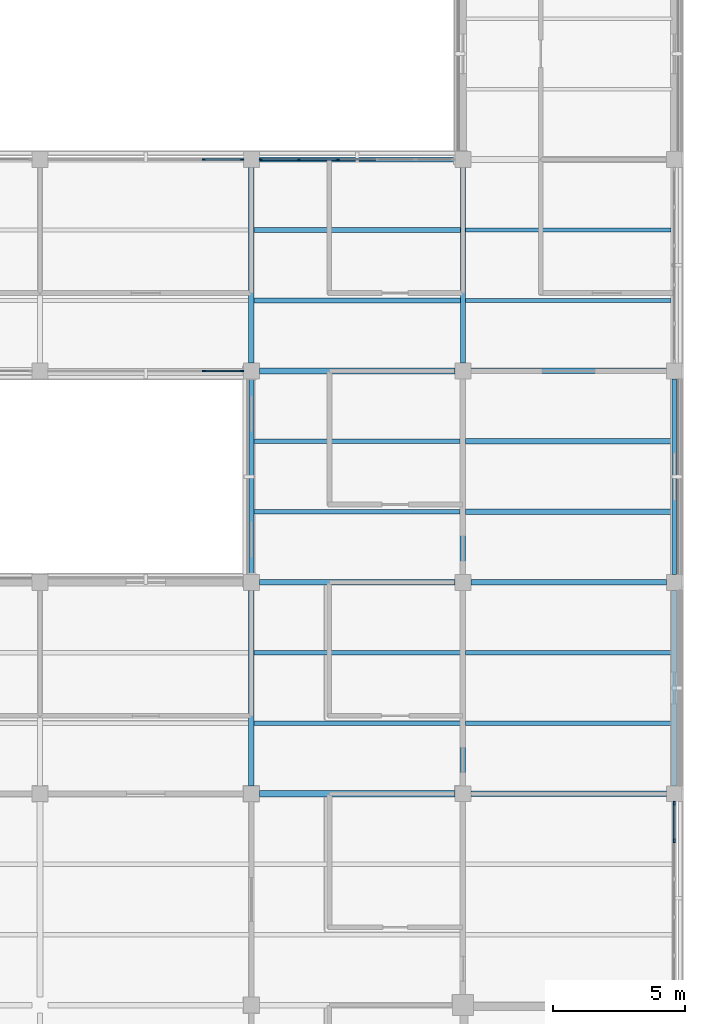
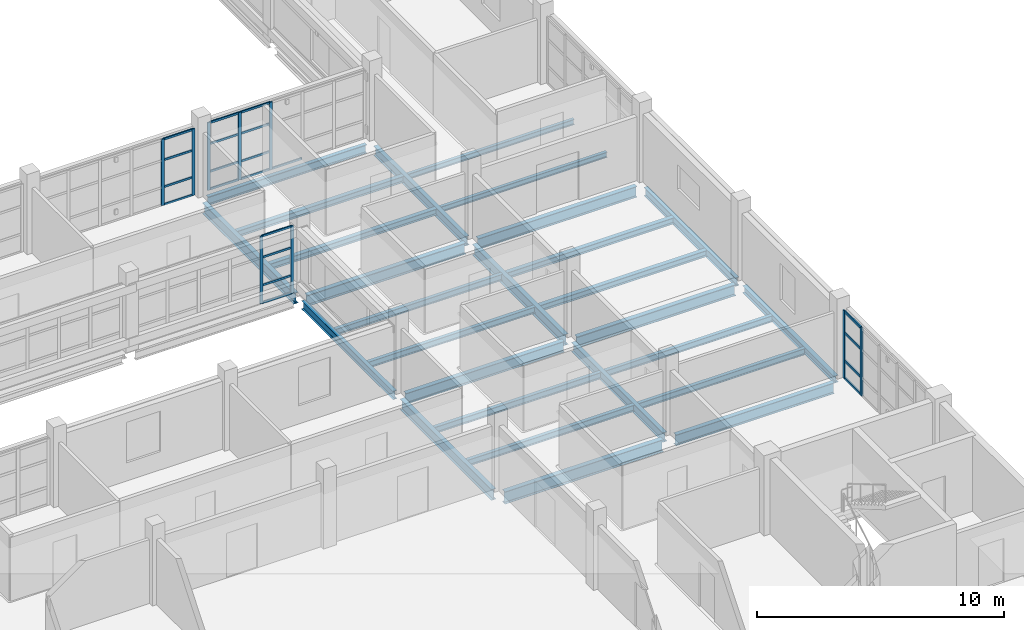
# One storey, part 55 of 126: 30 members, 27 beams, 4 elements without a shape of their own.
"""IFC4 building model written with IfcOpenShell, lengths in metres."""

from ifc_helpers import new_model, si_unit, derived_unit, direction, frame, origin, origin_2d, place, context, subcontext, project, spatial, rectangle, i_section, extrude, material, layer, layer_set, material_profile, profile_set, type_object, element, aggregate, save


model = new_model("IFC4")

# Units and contexts
model_context = context("Model", 3, precision=1e-05, world=origin(), true_north=direction((0.0, 1.0)))
body_context = subcontext(model_context, "Body", "Model", "MODEL_VIEW")
ifc_project = project(units=[si_unit("LENGTHUNIT", "METRE"), si_unit("AREAUNIT", "SQUARE_METRE"), si_unit("VOLUMEUNIT", "CUBIC_METRE"), si_unit("PLANEANGLEUNIT", "RADIAN"), si_unit("MASSUNIT", "GRAM", prefix="KILO"), derived_unit("THERMALTRANSMITTANCEUNIT", [(si_unit("MASSUNIT", "GRAM", prefix="KILO"), 1), (si_unit("TIMEUNIT", "SECOND"), -3), (si_unit("THERMODYNAMICTEMPERATUREUNIT", "KELVIN"), -1)])], contexts=[model_context])

# Site, building, storey
site_placement = place(None, origin())
site = spatial("IfcSite", under=ifc_project, at=site_placement, CompositionType="ELEMENT")
building_placement = place(site_placement, origin())
building = spatial("IfcBuilding", under=site, at=building_placement, Name="Veyamyaing Civic Hall", CompositionType="ELEMENT")
storey_placement = place(building_placement, frame((0.0, 0.0, 9.89990234375)))
storey = spatial("IfcBuildingStorey", under=building, at=storey_placement, Name="L02", CompositionType="ELEMENT", Elevation=9.89990234375)

# Beams
ifc_material_1 = material(Name="Steel ASTM A992", Category="steel")
ifc_material_profile_1 = material_profile(ifc_material_1, i_section(OverallWidth=0.22802734375, OverallDepth=0.60791015625, WebThickness=0.01123046875, FlangeThickness=0.017333984375, FilletRadius=0.012939453125, at=origin_2d()), Name="W610X113")
ifc_profile_set_1 = profile_set([ifc_material_profile_1], Name="Steel ASTM A992")
beam_type_1 = type_object("IfcBeamType", Name="B-06", PredefinedType="BEAM", material=ifc_profile_set_1)
beam_1_placement = place(storey_placement, frame((160.300048828125, 32.0, -0.5888671875), z_axis=(1.0, 0.0, 0.0), x_axis=(0.0, 1.0, 0.0)))
element("IfcBeam", 1, at=beam_1_placement, inside=storey, type_object=beam_type_1, Name="Girder B-06 L02 Grid E 21-22", PredefinedType="BEAM", context=body_context, shape_type="SweptSolid", body=[
    extrude(i_section(OverallWidth=0.22802734375, OverallDepth=0.60791015625, WebThickness=0.01123046875, FlangeThickness=0.017333984375, FilletRadius=0.012939453125, at=origin_2d()), origin(), (0.0, 0.0, 1.0), 7.39990234375),
])
ifc_material_profile_2 = material_profile(ifc_material_1, i_section(OverallWidth=0.208984375, OverallDepth=0.532958984375, WebThickness=0.01025390625, FlangeThickness=0.015625, FilletRadius=0.011962890625, at=origin_2d()), Name="W530X92")
ifc_profile_set_2 = profile_set([ifc_material_profile_2], Name="Steel ASTM A992")
beam_type_2 = type_object("IfcBeamType", Name="B-07", PredefinedType="BEAM", material=ifc_profile_set_2)
for number, where, z_axis, x_axis, name in (
    (2, (168.300048828125, 32.0, -0.551513671875), (1.0, 0.0, 0.0), (0.0, 1.0, 0.0), "Girder B-07 L02 Grid E 22-23"),
    (3, (160.300048828125, 40.0, -0.551513671875), (1.0, 0.0, 0.0), (0.0, 1.0, 0.0), "Girder B-07 L02 Grid F 21-22"),
    (4, (160.0, 32.300048828125, -0.551513671875), (0.0, 1.0, 0.0), (-1.0, 0.0, 0.0), "Girder B-07 L02 Grid 21 E-F"),
):
    element("IfcBeam", number, at=place(storey_placement, frame(where, z_axis=z_axis, x_axis=x_axis)), inside=storey, type_object=beam_type_2, Name=name, PredefinedType="BEAM", context=body_context, shape_type="SweptSolid", body=[
        extrude(i_section(OverallWidth=0.208984375, OverallDepth=0.532958984375, WebThickness=0.01025390625, FlangeThickness=0.015625, FilletRadius=0.011962890625, at=origin_2d()), origin(), (0.0, 0.0, 1.0), 7.39990234375),
    ])
ifc_material_profile_3 = material_profile(ifc_material_1, i_section(OverallWidth=0.19189453125, OverallDepth=0.462890625, WebThickness=0.010498046875, FlangeThickness=0.017578125, FilletRadius=0.010009765625, at=origin_2d()), Name="W460X89")
ifc_profile_set_3 = profile_set([ifc_material_profile_3], Name="Steel ASTM A992")
beam_type_3 = type_object("IfcBeamType", Name="B-08", PredefinedType="BEAM", material=ifc_profile_set_3)
beam_2_placement = place(storey_placement, frame((168.0, 32.300048828125, -0.516357421875), z_axis=(0.0, 1.0, 0.0), x_axis=(-1.0, 0.0, 0.0)))
element("IfcBeam", 5, at=beam_2_placement, inside=storey, type_object=beam_type_3, Name="Girder B-08 L02 Grid 22 E-F", PredefinedType="BEAM", context=body_context, shape_type="SweptSolid", body=[
    extrude(i_section(OverallWidth=0.19189453125, OverallDepth=0.462890625, WebThickness=0.010498046875, FlangeThickness=0.017578125, FilletRadius=0.010009765625, at=origin_2d()), origin(), (0.0, 0.0, 1.0), 7.39990234375),
])
ifc_material_profile_4 = material_profile(ifc_material_1, i_section(OverallWidth=0.179931640625, OverallDepth=0.4130859375, WebThickness=0.009765625, FlangeThickness=0.01611328125, FilletRadius=0.010009765625, at=origin_2d()), Name="W410X74")
ifc_profile_set_4 = profile_set([ifc_material_profile_4], Name="Steel ASTM A992")
beam_type_4 = type_object("IfcBeamType", Name="B-10", PredefinedType="SPANDREL", material=ifc_profile_set_4)
beam_3_placement = place(storey_placement, frame((160.0, 40.300048828125, -0.491455078125), z_axis=(0.0, 1.0, 0.0), x_axis=(-1.0, 0.0, 0.0)))
element("IfcBeam", 6, at=beam_3_placement, inside=storey, type_object=beam_type_4, Name="Girder B-10 L02 Grid 21 F-G", PredefinedType="SPANDREL", context=body_context, shape_type="SweptSolid", body=[
    extrude(i_section(OverallWidth=0.179931640625, OverallDepth=0.4130859375, WebThickness=0.009765625, FlangeThickness=0.01611328125, FilletRadius=0.010009765625, at=origin_2d()), origin(), (0.0, 0.0, 1.0), 7.39990234375),
])
ifc_material_profile_5 = material_profile(ifc_material_1, i_section(OverallWidth=0.2041015625, OverallDepth=0.35009765625, WebThickness=0.0078125, FlangeThickness=0.01513671875, FilletRadius=0.010009765625, at=origin_2d()), Name="W360X72")
ifc_profile_set_5 = profile_set([ifc_material_profile_5], Name="Steel ASTM A992")
beam_type_5 = type_object("IfcBeamType", Name="B-11", PredefinedType="SPANDREL", material=ifc_profile_set_5)
beam_4_placement = place(storey_placement, frame((176.0, 32.300048828125, -0.4599609375), z_axis=(0.0, 1.0, 0.0), x_axis=(-1.0, 0.0, 0.0)))
element("IfcBeam", 7, at=beam_4_placement, inside=storey, type_object=beam_type_5, Name="Girder B-11 L02 Grid 23 E-F", PredefinedType="SPANDREL", context=body_context, shape_type="SweptSolid", body=[
    extrude(i_section(OverallWidth=0.2041015625, OverallDepth=0.35009765625, WebThickness=0.0078125, FlangeThickness=0.01513671875, FilletRadius=0.010009765625, at=origin_2d()), origin(), (0.0, 0.0, 1.0), 7.39990234375),
])
ifc_material_profile_6 = material_profile(ifc_material_1, i_section(OverallWidth=0.214111328125, OverallDepth=0.549072265625, WebThickness=0.0146484375, FlangeThickness=0.023681640625, FilletRadius=0.011962890625, at=origin_2d()), Name="W530X138")
ifc_profile_set_6 = profile_set([ifc_material_profile_6], Name="Steel ASTM A992")
beam_type_6 = type_object("IfcBeamType", Name="B-16", PredefinedType="BEAM", material=ifc_profile_set_6)
for number, where, z_axis, x_axis, name in (
    (8, (168.300048828125, 40.0, -0.559326171875), (1.0, 0.0, 0.0), (0.0, 1.0, 0.0), "Girder B-16 L02 Grid F 22-23"),
    (9, (160.300048828125, 48.0, -0.559326171875), (1.0, 0.0, 0.0), (0.0, 1.0, 0.0), "Girder B-16 L02 Grid G 21-22"),
):
    element("IfcBeam", number, at=place(storey_placement, frame(where, z_axis=z_axis, x_axis=x_axis)), inside=storey, type_object=beam_type_6, Name=name, PredefinedType="BEAM", context=body_context, shape_type="SweptSolid", body=[
        extrude(i_section(OverallWidth=0.214111328125, OverallDepth=0.549072265625, WebThickness=0.0146484375, FlangeThickness=0.023681640625, FilletRadius=0.011962890625, at=origin_2d()), origin(), (0.0, 0.0, 1.0), 7.39990234375),
    ])
ifc_material_profile_7 = material_profile(ifc_material_1, i_section(OverallWidth=0.2109375, OverallDepth=0.5390625, WebThickness=0.01171875, FlangeThickness=0.018798828125, FilletRadius=0.011962890625, at=origin_2d()), Name="W530X109")
ifc_profile_set_7 = profile_set([ifc_material_profile_7], Name="Steel ASTM A992")
beam_type_7 = type_object("IfcBeamType", Name="B-17", PredefinedType="BEAM", material=ifc_profile_set_7)
for number, where, z_axis, x_axis, name in (
    (10, (168.300048828125, 48.0, -0.554443359375), (1.0, 0.0, 0.0), (0.0, 1.0, 0.0), "Girder B-17 L02 Grid G 22-23"),
    (11, (160.0, 48.300048828125, -0.554443359375), (0.0, 1.0, 0.0), (-1.0, 0.0, 0.0), "Girder B-17 L02 Grid 21 G-H"),
    (12, (168.0, 40.300048828125, -0.554443359375), (0.0, 1.0, 0.0), (-1.0, 0.0, 0.0), "Girder B-17 L02 Grid 22 F-G"),
):
    element("IfcBeam", number, at=place(storey_placement, frame(where, z_axis=z_axis, x_axis=x_axis)), inside=storey, type_object=beam_type_7, Name=name, PredefinedType="BEAM", context=body_context, shape_type="SweptSolid", body=[
        extrude(i_section(OverallWidth=0.2109375, OverallDepth=0.5390625, WebThickness=0.01171875, FlangeThickness=0.018798828125, FilletRadius=0.011962890625, at=origin_2d()), origin(), (0.0, 0.0, 1.0), 7.39990234375),
    ])
ifc_material_profile_8 = material_profile(ifc_material_1, i_section(OverallWidth=0.194091796875, OverallDepth=0.468994140625, WebThickness=0.0126953125, FlangeThickness=0.0205078125, FilletRadius=0.010009765625, at=origin_2d()), Name="W460X106")
ifc_profile_set_8 = profile_set([ifc_material_profile_8], Name="Steel ASTM A992")
beam_type_8 = type_object("IfcBeamType", Name="B-18", PredefinedType="BEAM", material=ifc_profile_set_8)
beam_5_placement = place(storey_placement, frame((168.0, 48.300048828125, -0.519287109375), z_axis=(0.0, 1.0, 0.0), x_axis=(-1.0, 0.0, 0.0)))
element("IfcBeam", 13, at=beam_5_placement, inside=storey, type_object=beam_type_8, Name="Girder B-18 L02 Grid 22 G-H", PredefinedType="BEAM", context=body_context, shape_type="SweptSolid", body=[
    extrude(i_section(OverallWidth=0.194091796875, OverallDepth=0.468994140625, WebThickness=0.0126953125, FlangeThickness=0.0205078125, FilletRadius=0.010009765625, at=origin_2d()), origin(), (0.0, 0.0, 1.0), 7.39990234375),
])
ifc_material_profile_9 = material_profile(ifc_material_1, i_section(OverallWidth=0.180908203125, OverallDepth=0.4169921875, WebThickness=0.010986328125, FlangeThickness=0.018310546875, FilletRadius=0.010009765625, at=origin_2d()), Name="W410X85")
ifc_profile_set_9 = profile_set([ifc_material_profile_9], Name="Steel ASTM A992")
beam_type_9 = type_object("IfcBeamType", Name="B-19", PredefinedType="SPANDREL", material=ifc_profile_set_9)
for number, where, z_axis, x_axis, name in (
    (14, (160.300048828125, 56.0, -0.493408203125), (1.0, 0.0, 0.0), (0.0, 1.0, 0.0), "Girder B-19 L02 Grid H 21-22"),
    (15, (176.0, 40.300048828125, -0.493408203125), (0.0, 1.0, 0.0), (-1.0, 0.0, 0.0), "Girder B-19 L02 Grid 23 F-G"),
):
    element("IfcBeam", number, at=place(storey_placement, frame(where, z_axis=z_axis, x_axis=x_axis)), inside=storey, type_object=beam_type_9, Name=name, PredefinedType="SPANDREL", context=body_context, shape_type="SweptSolid", body=[
        extrude(i_section(OverallWidth=0.180908203125, OverallDepth=0.4169921875, WebThickness=0.010986328125, FlangeThickness=0.018310546875, FilletRadius=0.010009765625, at=origin_2d()), origin(), (0.0, 0.0, 1.0), 7.39990234375),
    ])

# Curtain wall, members
ifc_material_2 = material(Name="Anodised aluminium 6063-T6", Category="aluminium")
ifc_layer_1 = layer(ifc_material_2, 0.159912109375, Name="Anodised aluminium 6063-T6")
ifc_layer_set_1 = layer_set([ifc_layer_1], Name="Anodised aluminium 6063-T6")
curtain_wall_type_1 = type_object("IfcCurtainWallType", Name="CW-03", PredefinedType="NOTDEFINED", material=ifc_layer_set_1)
curtain_wall_1_placement = place(storey_placement, origin())
curtain_wall_1 = element("IfcCurtainWall", 16, at=curtain_wall_1_placement, inside=storey, type_object=curtain_wall_type_1, Name="Unitized curtain wall CW-03 L02 E 22.4", PredefinedType="NOTDEFINED")
ifc_material_profile_10 = material_profile(ifc_material_2, rectangle(XDim=0.06494140625, YDim=0.159912109375, at=origin_2d()), Name="ALU-MUL-65X160")
ifc_profile_set_10 = profile_set([ifc_material_profile_10], Name="Anodised aluminium 6063-T6")
member_type_1 = type_object("IfcMemberType", Name="CWM-01", PredefinedType="MULLION", material=ifc_profile_set_10)
member_1_placement = place(storey_placement, frame((176.0, 30.221923828125, 0.0), z_axis=(0.0, 0.0, 1.0), x_axis=(-1.0, 0.0, 0.0)))
member_1 = element("IfcMember", 17, at=member_1_placement, type_object=member_type_1, Name="CW-03 mullion 5", PredefinedType="MULLION", context=body_context, shape_type="SweptSolid", body=[
    extrude(rectangle(XDim=0.06494140625, YDim=0.159912109375, at=origin_2d()), origin(), (0.0, 0.0, 1.0), 3.34716796875),
])
member_2_placement = place(storey_placement, frame((176.0, 31.637451171875, 0.0), z_axis=(0.0, 0.0, 1.0), x_axis=(-1.0, 0.0, 0.0)))
member_2 = element("IfcMember", 18, at=member_2_placement, type_object=member_type_1, Name="CW-03 mullion 6", PredefinedType="MULLION", context=body_context, shape_type="SweptSolid", body=[
    extrude(rectangle(XDim=0.06494140625, YDim=0.159912109375, at=origin_2d()), origin(), (0.0, 0.0, 1.0), 3.34716796875),
])

ifc_layer_2 = layer(ifc_material_2, 0.139892578125, Name="Anodised aluminium 6063-T6")
ifc_layer_set_2 = layer_set([ifc_layer_2], Name="Anodised aluminium 6063-T6")
curtain_wall_type_2 = type_object("IfcCurtainWallType", Name="CW-04", PredefinedType="NOTDEFINED", material=ifc_layer_set_2)
curtain_wall_2_placement = place(storey_placement, origin())
curtain_wall_2 = element("IfcCurtainWall", 19, at=curtain_wall_2_placement, inside=storey, type_object=curtain_wall_type_2, Name="Unitized curtain wall CW-04 L02 S 20.7", PredefinedType="NOTDEFINED")
ifc_material_profile_11 = material_profile(ifc_material_2, rectangle(XDim=0.06005859375, YDim=0.139892578125, at=origin_2d()), Name="ALU-MUL-60X140")
ifc_profile_set_11 = profile_set([ifc_material_profile_11], Name="Anodised aluminium 6063-T6")
member_type_2 = type_object("IfcMemberType", Name="CWM-03", PredefinedType="MULLION", material=ifc_profile_set_11)
member_3_placement = place(storey_placement, frame((158.201904296875, 48.0, 0.0), z_axis=(0.0, 0.0, 1.0), x_axis=(0.0, 1.0, 0.0)))
member_3 = element("IfcMember", 20, at=member_3_placement, type_object=member_type_2, Name="CW-04 mullion 5", PredefinedType="MULLION", context=body_context, shape_type="SweptSolid", body=[
    extrude(rectangle(XDim=0.06005859375, YDim=0.139892578125, at=origin_2d()), origin(), (0.0, 0.0, 1.0), 3.34716796875),
])
member_4_placement = place(storey_placement, frame((159.639892578125, 48.0, 0.0), z_axis=(0.0, 0.0, 1.0), x_axis=(0.0, 1.0, 0.0)))
member_4 = element("IfcMember", 21, at=member_4_placement, type_object=member_type_2, Name="CW-04 mullion 6", PredefinedType="MULLION", context=body_context, shape_type="SweptSolid", body=[
    extrude(rectangle(XDim=0.06005859375, YDim=0.139892578125, at=origin_2d()), origin(), (0.0, 0.0, 1.0), 3.34716796875),
])

curtain_wall_3_placement = place(storey_placement, origin())
curtain_wall_3 = element("IfcCurtainWall", 22, at=curtain_wall_3_placement, inside=storey, type_object=curtain_wall_type_2, Name="Unitized curtain wall CW-04 L02 N 20.7", PredefinedType="NOTDEFINED")
member_5_placement = place(storey_placement, frame((158.201904296875, 56.0, 0.0), z_axis=(0.0, 0.0, 1.0), x_axis=(0.0, 1.0, 0.0)))
member_5 = element("IfcMember", 23, at=member_5_placement, type_object=member_type_2, Name="CW-04 mullion 5", PredefinedType="MULLION", context=body_context, shape_type="SweptSolid", body=[
    extrude(rectangle(XDim=0.06005859375, YDim=0.139892578125, at=origin_2d()), origin(), (0.0, 0.0, 1.0), 3.280029296875),
])
member_6_placement = place(storey_placement, frame((159.639892578125, 56.0, 0.0), z_axis=(0.0, 0.0, 1.0), x_axis=(0.0, 1.0, 0.0)))
member_6 = element("IfcMember", 24, at=member_6_placement, type_object=member_type_2, Name="CW-04 mullion 6", PredefinedType="MULLION", context=body_context, shape_type="SweptSolid", body=[
    extrude(rectangle(XDim=0.06005859375, YDim=0.139892578125, at=origin_2d()), origin(), (0.0, 0.0, 1.0), 3.280029296875),
])

curtain_wall_4_placement = place(storey_placement, origin())
curtain_wall_4 = element("IfcCurtainWall", 25, at=curtain_wall_4_placement, inside=storey, type_object=curtain_wall_type_2, Name="Unitized curtain wall CW-04 L02 N 21.7", PredefinedType="NOTDEFINED")
member_7_placement = place(storey_placement, frame((160.360107421875, 56.0, 0.0), z_axis=(0.0, 0.0, 1.0), x_axis=(0.0, 1.0, 0.0)))
member_7 = element("IfcMember", 26, at=member_7_placement, type_object=member_type_2, Name="CW-04 mullion 1", PredefinedType="MULLION", context=body_context, shape_type="SweptSolid", body=[
    extrude(rectangle(XDim=0.06005859375, YDim=0.139892578125, at=origin_2d()), origin(), (0.0, 0.0, 1.0), 3.343994140625),
])
member_8_placement = place(storey_placement, frame((161.798095703125, 56.0, 0.0), z_axis=(0.0, 0.0, 1.0), x_axis=(0.0, 1.0, 0.0)))
member_8 = element("IfcMember", 27, at=member_8_placement, type_object=member_type_2, Name="CW-04 mullion 2", PredefinedType="MULLION", context=body_context, shape_type="SweptSolid", body=[
    extrude(rectangle(XDim=0.06005859375, YDim=0.139892578125, at=origin_2d()), origin(), (0.0, 0.0, 1.0), 3.343994140625),
])
member_9_placement = place(storey_placement, frame((163.26611328125, 56.0, 0.0), z_axis=(0.0, 0.0, 1.0), x_axis=(0.0, 1.0, 0.0)))
member_9 = element("IfcMember", 28, at=member_9_placement, type_object=member_type_2, Name="CW-04 mullion 3", PredefinedType="MULLION", context=body_context, shape_type="SweptSolid", body=[
    extrude(rectangle(XDim=0.06005859375, YDim=0.139892578125, at=origin_2d()), origin(), (0.0, 0.0, 1.0), 3.343994140625),
])

# Member
ifc_material_profile_12 = material_profile(ifc_material_2, rectangle(XDim=0.06494140625, YDim=0.1201171875, at=origin_2d()), Name="ALU-TRN-65X120")
ifc_profile_set_12 = profile_set([ifc_material_profile_12], Name="Anodised aluminium 6063-T6")
member_type_3 = type_object("IfcMemberType", Name="CWT-01", PredefinedType="USERDEFINED", material=ifc_profile_set_12)
member_10_placement = place(storey_placement, frame((176.0, 30.25439453125, 0.03271484375), z_axis=(0.0, 1.0, 0.0), x_axis=(-1.0, 0.0, 0.0)))
member_10 = element("IfcMember", 29, at=member_10_placement, type_object=member_type_3, Name="CW-03 transom 5.1", ObjectType="TRANSOM", PredefinedType="USERDEFINED", context=body_context, shape_type="SweptSolid", body=[
    extrude(rectangle(XDim=0.06494140625, YDim=0.1201171875, at=origin_2d()), origin(), (0.0, 0.0, 1.0), 1.3505859375),
])

member_11_placement = place(storey_placement, frame((176.0, 30.25439453125, 0.900146484375), z_axis=(0.0, 1.0, 0.0), x_axis=(-1.0, 0.0, 0.0)))
member_11 = element("IfcMember", 30, at=member_11_placement, type_object=member_type_3, Name="CW-03 transom 5.2", ObjectType="TRANSOM", PredefinedType="USERDEFINED", context=body_context, shape_type="SweptSolid", body=[
    extrude(rectangle(XDim=0.06494140625, YDim=0.1201171875, at=origin_2d()), origin(), (0.0, 0.0, 1.0), 1.3505859375),
])

member_12_placement = place(storey_placement, frame((176.0, 30.25439453125, 2.276123046875), z_axis=(0.0, 1.0, 0.0), x_axis=(-1.0, 0.0, 0.0)))
member_12 = element("IfcMember", 31, at=member_12_placement, type_object=member_type_3, Name="CW-03 transom 5.3", ObjectType="TRANSOM", PredefinedType="USERDEFINED", context=body_context, shape_type="SweptSolid", body=[
    extrude(rectangle(XDim=0.06494140625, YDim=0.1201171875, at=origin_2d()), origin(), (0.0, 0.0, 1.0), 1.3505859375),
])

member_13_placement = place(storey_placement, frame((176.0, 30.25439453125, 3.314697265625), z_axis=(0.0, 1.0, 0.0), x_axis=(-1.0, 0.0, 0.0)))
member_13 = element("IfcMember", 32, at=member_13_placement, type_object=member_type_3, Name="CW-03 transom 5.4", ObjectType="TRANSOM", PredefinedType="USERDEFINED", context=body_context, shape_type="SweptSolid", body=[
    extrude(rectangle(XDim=0.06494140625, YDim=0.1201171875, at=origin_2d()), origin(), (0.0, 0.0, 1.0), 1.3505859375),
])

aggregate(curtain_wall_1, [member_1, member_2, member_10, member_11, member_12, member_13])

ifc_material_profile_13 = material_profile(ifc_material_2, rectangle(XDim=0.06005859375, YDim=0.10009765625, at=origin_2d()), Name="ALU-TRN-60X100")
ifc_profile_set_13 = profile_set([ifc_material_profile_13], Name="Anodised aluminium 6063-T6")
member_type_4 = type_object("IfcMemberType", Name="CWT-03", PredefinedType="USERDEFINED", material=ifc_profile_set_13)
member_14_placement = place(storey_placement, frame((158.23193359375, 48.0, 0.030029296875), z_axis=(1.0, 0.0, 0.0), x_axis=(0.0, 1.0, 0.0)))
member_14 = element("IfcMember", 33, at=member_14_placement, type_object=member_type_4, Name="CW-04 transom 5.1", ObjectType="TRANSOM", PredefinedType="USERDEFINED", context=body_context, shape_type="SweptSolid", body=[
    extrude(rectangle(XDim=0.06005859375, YDim=0.10009765625, at=origin_2d()), origin(), (0.0, 0.0, 1.0), 1.378173828125),
])

member_15_placement = place(storey_placement, frame((158.23193359375, 48.0, 0.900146484375), z_axis=(1.0, 0.0, 0.0), x_axis=(0.0, 1.0, 0.0)))
member_15 = element("IfcMember", 34, at=member_15_placement, type_object=member_type_4, Name="CW-04 transom 5.2", ObjectType="TRANSOM", PredefinedType="USERDEFINED", context=body_context, shape_type="SweptSolid", body=[
    extrude(rectangle(XDim=0.06005859375, YDim=0.10009765625, at=origin_2d()), origin(), (0.0, 0.0, 1.0), 1.378173828125),
])

member_16_placement = place(storey_placement, frame((158.23193359375, 48.0, 2.276123046875), z_axis=(1.0, 0.0, 0.0), x_axis=(0.0, 1.0, 0.0)))
member_16 = element("IfcMember", 35, at=member_16_placement, type_object=member_type_4, Name="CW-04 transom 5.3", ObjectType="TRANSOM", PredefinedType="USERDEFINED", context=body_context, shape_type="SweptSolid", body=[
    extrude(rectangle(XDim=0.06005859375, YDim=0.10009765625, at=origin_2d()), origin(), (0.0, 0.0, 1.0), 1.378173828125),
])

member_17_placement = place(storey_placement, frame((158.23193359375, 48.0, 3.317138671875), z_axis=(1.0, 0.0, 0.0), x_axis=(0.0, 1.0, 0.0)))
member_17 = element("IfcMember", 36, at=member_17_placement, type_object=member_type_4, Name="CW-04 transom 5.4", ObjectType="TRANSOM", PredefinedType="USERDEFINED", context=body_context, shape_type="SweptSolid", body=[
    extrude(rectangle(XDim=0.06005859375, YDim=0.10009765625, at=origin_2d()), origin(), (0.0, 0.0, 1.0), 1.378173828125),
])

aggregate(curtain_wall_2, [member_3, member_4, member_14, member_15, member_16, member_17])

member_18_placement = place(storey_placement, frame((158.23193359375, 56.0, 0.030029296875), z_axis=(1.0, 0.0, 0.0), x_axis=(0.0, 1.0, 0.0)))
member_18 = element("IfcMember", 37, at=member_18_placement, type_object=member_type_4, Name="CW-04 transom 5.1", ObjectType="TRANSOM", PredefinedType="USERDEFINED", context=body_context, shape_type="SweptSolid", body=[
    extrude(rectangle(XDim=0.06005859375, YDim=0.10009765625, at=origin_2d()), origin(), (0.0, 0.0, 1.0), 1.378173828125),
])

member_19_placement = place(storey_placement, frame((158.23193359375, 56.0, 0.900146484375), z_axis=(1.0, 0.0, 0.0), x_axis=(0.0, 1.0, 0.0)))
member_19 = element("IfcMember", 38, at=member_19_placement, type_object=member_type_4, Name="CW-04 transom 5.2", ObjectType="TRANSOM", PredefinedType="USERDEFINED", context=body_context, shape_type="SweptSolid", body=[
    extrude(rectangle(XDim=0.06005859375, YDim=0.10009765625, at=origin_2d()), origin(), (0.0, 0.0, 1.0), 1.378173828125),
])

member_20_placement = place(storey_placement, frame((158.23193359375, 56.0, 2.23046875), z_axis=(1.0, 0.0, 0.0), x_axis=(0.0, 1.0, 0.0)))
member_20 = element("IfcMember", 39, at=member_20_placement, type_object=member_type_4, Name="CW-04 transom 5.3", ObjectType="TRANSOM", PredefinedType="USERDEFINED", context=body_context, shape_type="SweptSolid", body=[
    extrude(rectangle(XDim=0.06005859375, YDim=0.10009765625, at=origin_2d()), origin(), (0.0, 0.0, 1.0), 1.378173828125),
])

member_21_placement = place(storey_placement, frame((158.23193359375, 56.0, 3.25), z_axis=(1.0, 0.0, 0.0), x_axis=(0.0, 1.0, 0.0)))
member_21 = element("IfcMember", 40, at=member_21_placement, type_object=member_type_4, Name="CW-04 transom 5.4", ObjectType="TRANSOM", PredefinedType="USERDEFINED", context=body_context, shape_type="SweptSolid", body=[
    extrude(rectangle(XDim=0.06005859375, YDim=0.10009765625, at=origin_2d()), origin(), (0.0, 0.0, 1.0), 1.378173828125),
])

aggregate(curtain_wall_3, [member_5, member_6, member_18, member_19, member_20, member_21])

member_22_placement = place(storey_placement, frame((160.389892578125, 56.0, 0.030029296875), z_axis=(1.0, 0.0, 0.0), x_axis=(0.0, 1.0, 0.0)))
member_22 = element("IfcMember", 41, at=member_22_placement, type_object=member_type_4, Name="CW-04 transom 1.1", ObjectType="TRANSOM", PredefinedType="USERDEFINED", context=body_context, shape_type="SweptSolid", body=[
    extrude(rectangle(XDim=0.06005859375, YDim=0.10009765625, at=origin_2d()), origin(), (0.0, 0.0, 1.0), 1.378173828125),
])

member_23_placement = place(storey_placement, frame((160.389892578125, 56.0, 0.900146484375), z_axis=(1.0, 0.0, 0.0), x_axis=(0.0, 1.0, 0.0)))
member_23 = element("IfcMember", 42, at=member_23_placement, type_object=member_type_4, Name="CW-04 transom 1.2", ObjectType="TRANSOM", PredefinedType="USERDEFINED", context=body_context, shape_type="SweptSolid", body=[
    extrude(rectangle(XDim=0.06005859375, YDim=0.10009765625, at=origin_2d()), origin(), (0.0, 0.0, 1.0), 1.378173828125),
])

member_24_placement = place(storey_placement, frame((160.389892578125, 56.0, 2.27392578125), z_axis=(1.0, 0.0, 0.0), x_axis=(0.0, 1.0, 0.0)))
member_24 = element("IfcMember", 43, at=member_24_placement, type_object=member_type_4, Name="CW-04 transom 1.3", ObjectType="TRANSOM", PredefinedType="USERDEFINED", context=body_context, shape_type="SweptSolid", body=[
    extrude(rectangle(XDim=0.06005859375, YDim=0.10009765625, at=origin_2d()), origin(), (0.0, 0.0, 1.0), 1.378173828125),
])

member_25_placement = place(storey_placement, frame((160.389892578125, 56.0, 3.314208984375), z_axis=(1.0, 0.0, 0.0), x_axis=(0.0, 1.0, 0.0)))
member_25 = element("IfcMember", 44, at=member_25_placement, type_object=member_type_4, Name="CW-04 transom 1.4", ObjectType="TRANSOM", PredefinedType="USERDEFINED", context=body_context, shape_type="SweptSolid", body=[
    extrude(rectangle(XDim=0.06005859375, YDim=0.10009765625, at=origin_2d()), origin(), (0.0, 0.0, 1.0), 1.378173828125),
])

member_26_placement = place(storey_placement, frame((161.827880859375, 56.0, 0.030029296875), z_axis=(1.0, 0.0, 0.0), x_axis=(0.0, 1.0, 0.0)))
member_26 = element("IfcMember", 45, at=member_26_placement, type_object=member_type_4, Name="CW-04 transom 2.1", ObjectType="TRANSOM", PredefinedType="USERDEFINED", context=body_context, shape_type="SweptSolid", body=[
    extrude(rectangle(XDim=0.06005859375, YDim=0.10009765625, at=origin_2d()), origin(), (0.0, 0.0, 1.0), 1.408203125),
])

member_27_placement = place(storey_placement, frame((161.827880859375, 56.0, 0.900146484375), z_axis=(1.0, 0.0, 0.0), x_axis=(0.0, 1.0, 0.0)))
member_27 = element("IfcMember", 46, at=member_27_placement, type_object=member_type_4, Name="CW-04 transom 2.2", ObjectType="TRANSOM", PredefinedType="USERDEFINED", context=body_context, shape_type="SweptSolid", body=[
    extrude(rectangle(XDim=0.06005859375, YDim=0.10009765625, at=origin_2d()), origin(), (0.0, 0.0, 1.0), 1.408203125),
])

member_28_placement = place(storey_placement, frame((161.827880859375, 56.0, 2.27392578125), z_axis=(1.0, 0.0, 0.0), x_axis=(0.0, 1.0, 0.0)))
member_28 = element("IfcMember", 47, at=member_28_placement, type_object=member_type_4, Name="CW-04 transom 2.3", ObjectType="TRANSOM", PredefinedType="USERDEFINED", context=body_context, shape_type="SweptSolid", body=[
    extrude(rectangle(XDim=0.06005859375, YDim=0.10009765625, at=origin_2d()), origin(), (0.0, 0.0, 1.0), 1.408203125),
])

member_29_placement = place(storey_placement, frame((161.827880859375, 56.0, 3.314208984375), z_axis=(1.0, 0.0, 0.0), x_axis=(0.0, 1.0, 0.0)))
member_29 = element("IfcMember", 48, at=member_29_placement, type_object=member_type_4, Name="CW-04 transom 2.4", ObjectType="TRANSOM", PredefinedType="USERDEFINED", context=body_context, shape_type="SweptSolid", body=[
    extrude(rectangle(XDim=0.06005859375, YDim=0.10009765625, at=origin_2d()), origin(), (0.0, 0.0, 1.0), 1.408203125),
])

member_30_placement = place(storey_placement, frame((163.2958984375, 56.0, 0.030029296875), z_axis=(1.0, 0.0, 0.0), x_axis=(0.0, 1.0, 0.0)))
member_30 = element("IfcMember", 49, at=member_30_placement, type_object=member_type_4, Name="CW-04 transom 3.1", ObjectType="TRANSOM", PredefinedType="USERDEFINED", context=body_context, shape_type="SweptSolid", body=[
    extrude(rectangle(XDim=0.06005859375, YDim=0.10009765625, at=origin_2d()), origin(), (0.0, 0.0, 1.0), 1.408203125),
])

aggregate(curtain_wall_4, [member_7, member_8, member_9, member_22, member_23, member_24, member_25, member_26, member_27, member_28, member_29, member_30])

# Beams
ifc_material_profile_14 = material_profile(ifc_material_1, i_section(OverallWidth=0.1669921875, OverallDepth=0.318115234375, WebThickness=0.007568359375, FlangeThickness=0.01318359375, FilletRadius=0.010009765625, at=origin_2d()), Name="W310X52")
ifc_profile_set_14 = profile_set([ifc_material_profile_14], Name="Steel ASTM A992")
beam_type_10 = type_object("IfcBeamType", Name="J-04", PredefinedType="JOIST", material=ifc_profile_set_14)
for number, where, z_axis, x_axis, name in (
    (50, (160.1025390625, 34.666748046875, -0.44384765625), (1.0, 0.0, 0.0), (0.0, 1.0, 0.0), "Composite floor joist J-04 L02 21.5.1"),
    (51, (160.1025390625, 37.333251953125, -0.44384765625), (1.0, 0.0, 0.0), (0.0, 1.0, 0.0), "Composite floor joist J-04 L02 21.5.2"),
):
    element("IfcBeam", number, at=place(storey_placement, frame(where, z_axis=z_axis, x_axis=x_axis)), inside=storey, type_object=beam_type_10, Name=name, PredefinedType="JOIST", context=body_context, shape_type="SweptSolid", body=[
        extrude(i_section(OverallWidth=0.1669921875, OverallDepth=0.318115234375, WebThickness=0.007568359375, FlangeThickness=0.01318359375, FilletRadius=0.010009765625, at=origin_2d()), origin(), (0.0, 0.0, 1.0), 7.803466796875),
    ])
ifc_material_profile_15 = material_profile(ifc_material_1, i_section(OverallWidth=0.1650390625, OverallDepth=0.31005859375, WebThickness=0.005859375, FlangeThickness=0.009765625, FilletRadius=0.010009765625, at=origin_2d()), Name="W310X39")
ifc_profile_set_15 = profile_set([ifc_material_profile_15], Name="Steel ASTM A992")
beam_type_11 = type_object("IfcBeamType", Name="J-05", PredefinedType="JOIST", material=ifc_profile_set_15)
for number, where, z_axis, x_axis, name in (
    (52, (160.087890625, 42.666748046875, -0.43994140625), (1.0, 0.0, 0.0), (0.0, 1.0, 0.0), "Composite floor joist J-05 L02 21.6.1"),
    (53, (160.087890625, 45.333251953125, -0.43994140625), (1.0, 0.0, 0.0), (0.0, 1.0, 0.0), "Composite floor joist J-05 L02 21.6.2"),
):
    element("IfcBeam", number, at=place(storey_placement, frame(where, z_axis=z_axis, x_axis=x_axis)), inside=storey, type_object=beam_type_11, Name=name, PredefinedType="JOIST", context=body_context, shape_type="SweptSolid", body=[
        extrude(i_section(OverallWidth=0.1650390625, OverallDepth=0.31005859375, WebThickness=0.005859375, FlangeThickness=0.009765625, FilletRadius=0.010009765625, at=origin_2d()), origin(), (0.0, 0.0, 1.0), 7.80859375),
    ])
for number, where, z_axis, x_axis, name in (
    (54, (168.093994140625, 34.666748046875, -0.43994140625), (1.0, 0.0, 0.0), (0.0, 1.0, 0.0), "Composite floor joist J-05 L02 22.5.1"),
    (55, (168.093994140625, 37.333251953125, -0.43994140625), (1.0, 0.0, 0.0), (0.0, 1.0, 0.0), "Composite floor joist J-05 L02 22.5.2"),
):
    element("IfcBeam", number, at=place(storey_placement, frame(where, z_axis=z_axis, x_axis=x_axis)), inside=storey, type_object=beam_type_11, Name=name, PredefinedType="JOIST", context=body_context, shape_type="SweptSolid", body=[
        extrude(i_section(OverallWidth=0.1650390625, OverallDepth=0.31005859375, WebThickness=0.005859375, FlangeThickness=0.009765625, FilletRadius=0.010009765625, at=origin_2d()), origin(), (0.0, 0.0, 1.0), 7.805908203125),
    ])
ifc_material_profile_16 = material_profile(ifc_material_1, i_section(OverallWidth=0.2041015625, OverallDepth=0.305908203125, WebThickness=0.008544921875, FlangeThickness=0.0146484375, FilletRadius=0.010009765625, at=origin_2d()), Name="W310X67")
ifc_profile_set_16 = profile_set([ifc_material_profile_16], Name="Steel ASTM A992")
beam_type_12 = type_object("IfcBeamType", Name="J-06", PredefinedType="JOIST", material=ifc_profile_set_16)
for number, where, z_axis, x_axis, name in (
    (56, (160.103515625, 50.666748046875, -0.43798828125), (1.0, 0.0, 0.0), (0.0, 1.0, 0.0), "Composite floor joist J-06 L02 21.7.1"),
    (57, (160.103515625, 53.333251953125, -0.43798828125), (1.0, 0.0, 0.0), (0.0, 1.0, 0.0), "Composite floor joist J-06 L02 21.7.2"),
):
    element("IfcBeam", number, at=place(storey_placement, frame(where, z_axis=z_axis, x_axis=x_axis)), inside=storey, type_object=beam_type_12, Name=name, PredefinedType="JOIST", context=body_context, shape_type="SweptSolid", body=[
        extrude(i_section(OverallWidth=0.2041015625, OverallDepth=0.305908203125, WebThickness=0.008544921875, FlangeThickness=0.0146484375, FilletRadius=0.010009765625, at=origin_2d()), origin(), (0.0, 0.0, 1.0), 7.801513671875),
    ])
for number, where, z_axis, x_axis, name in (
    (58, (168.103515625, 42.666748046875, -0.43798828125), (1.0, 0.0, 0.0), (0.0, 1.0, 0.0), "Composite floor joist J-06 L02 22.6.1"),
    (59, (168.103515625, 45.333251953125, -0.43798828125), (1.0, 0.0, 0.0), (0.0, 1.0, 0.0), "Composite floor joist J-06 L02 22.6.2"),
):
    element("IfcBeam", number, at=place(storey_placement, frame(where, z_axis=z_axis, x_axis=x_axis)), inside=storey, type_object=beam_type_12, Name=name, PredefinedType="JOIST", context=body_context, shape_type="SweptSolid", body=[
        extrude(i_section(OverallWidth=0.2041015625, OverallDepth=0.305908203125, WebThickness=0.008544921875, FlangeThickness=0.0146484375, FilletRadius=0.010009765625, at=origin_2d()), origin(), (0.0, 0.0, 1.0), 7.80810546875),
    ])
ifc_material_profile_17 = material_profile(ifc_material_1, i_section(OverallWidth=0.14794921875, OverallDepth=0.26611328125, WebThickness=0.007568359375, FlangeThickness=0.012939453125, FilletRadius=0.010009765625, at=origin_2d()), Name="W250X45")
ifc_profile_set_17 = profile_set([ifc_material_profile_17], Name="Steel ASTM A992")
beam_type_13 = type_object("IfcBeamType", Name="J-07", PredefinedType="JOIST", material=ifc_profile_set_17)
for number, where, z_axis, x_axis, name in (
    (60, (168.094970703125, 50.666748046875, -0.41796875), (1.0, 0.0, 0.0), (0.0, 1.0, 0.0), "Composite floor joist J-07 L02 22.7.1"),
    (61, (168.094970703125, 53.333251953125, -0.41796875), (1.0, 0.0, 0.0), (0.0, 1.0, 0.0), "Composite floor joist J-07 L02 22.7.2"),
):
    element("IfcBeam", number, at=place(storey_placement, frame(where, z_axis=z_axis, x_axis=x_axis)), inside=storey, type_object=beam_type_13, Name=name, PredefinedType="JOIST", context=body_context, shape_type="SweptSolid", body=[
        extrude(i_section(OverallWidth=0.14794921875, OverallDepth=0.26611328125, WebThickness=0.007568359375, FlangeThickness=0.012939453125, FilletRadius=0.010009765625, at=origin_2d()), origin(), (0.0, 0.0, 1.0), 7.780029296875),
    ])

save(model, "model.ifc")
